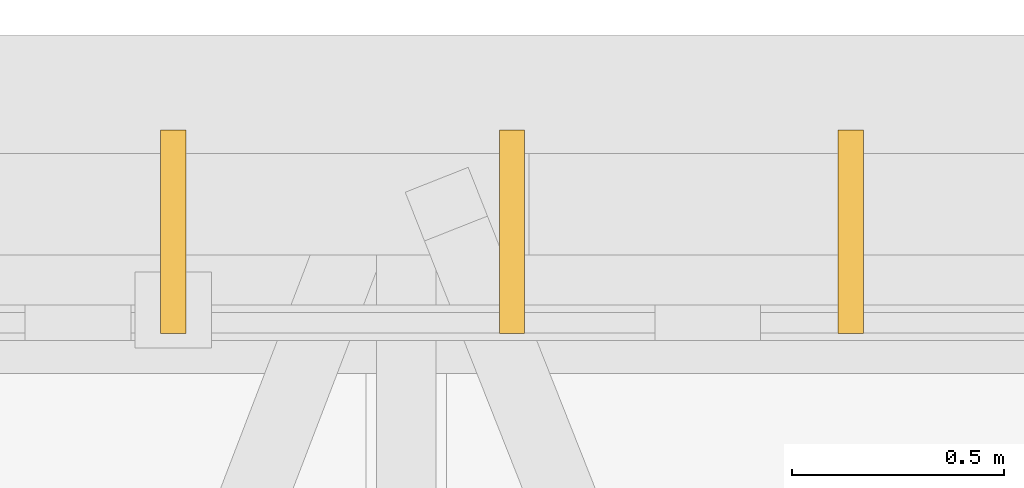
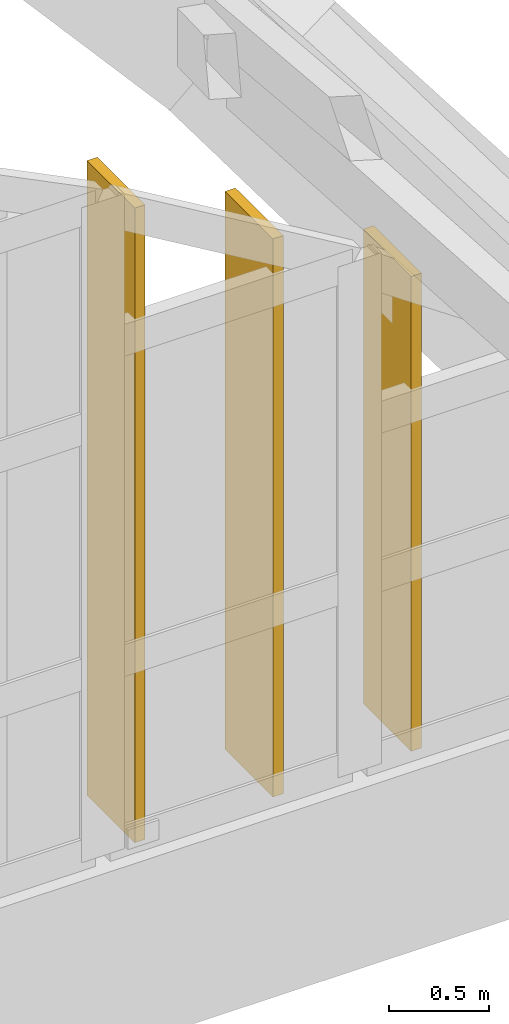
# One storey, part 91 of 93: 3 shading devices.
"""IFC4 building model written with IfcOpenShell, lengths in metres."""

import ifcopenshell
import ifcopenshell.guid

model = None  # the IFC model being written
_history = None  # IfcOwnerHistory: only IFC2X3 demands one
_inside = {}  # id of a spatial element -> (the spatial element, [elements in it])
_under = {}  # id of a project, library or spatial element -> (it, [spatial elements below it])
_declared = {}  # id of a project -> (the project, [libraries it declares])
_typed = {}  # id of a type object -> (the type object, [elements of that type])
_made_of = {}  # id of a material, layer set ... -> (it, [elements and type objects made of it])


def new_model(schema):
    """Start an empty IFC model of exactly this schema.

    Asked for "IFC4X3", IfcOpenShell would pick the latest addendum, in which some entities
    have other attributes; the version numbers below select the first issue.
    IFC2X3 requires an IfcOwnerHistory on every rooted entity: one is made here for all.
    """
    global model, _history
    if schema == "IFC4X3":
        model = ifcopenshell.file(schema_version=(4, 3, 0, 0))
    else:
        model = ifcopenshell.file(schema=schema)
    _inside.clear()
    _under.clear()
    _declared.clear()
    _typed.clear()
    _made_of.clear()
    _history = None
    if model.schema == "IFC2X3":
        org = make("IfcOrganization", Name="unknown")
        user = make(
            "IfcPersonAndOrganization",
            ThePerson=make("IfcPerson", FamilyName="unknown"),
            TheOrganization=org,
        )
        app = make(
            "IfcApplication",
            ApplicationDeveloper=org,
            Version="unknown",
            ApplicationFullName="unknown",
            ApplicationIdentifier="unknown",
        )
        _history = make(
            "IfcOwnerHistory",
            OwningUser=user,
            OwningApplication=app,
            ChangeAction="ADDED",
            CreationDate=0,
        )
    return model


def make(cls, **values):
    """One entity of the class cls with the attributes given. An attribute that is None is left unset."""
    return model.create_entity(
        cls, **{name: value for name, value in values.items() if value is not None}
    )


def rooted(cls, **values):
    """An entity with a GlobalId (a new one), such as an element, a storey or a relation."""
    return make(cls, GlobalId=ifcopenshell.guid.new(), OwnerHistory=_history, **values)


def si_unit(unit_type, name, prefix=None):
    """IfcSIUnit, for example si_unit("LENGTHUNIT", "METRE", prefix="MILLI")."""
    return make("IfcSIUnit", UnitType=unit_type, Prefix=prefix, Name=name)


def assignment(units):
    """IfcUnitAssignment: the units of a project."""
    return None if units is None else make("IfcUnitAssignment", Units=units)


def point(xyz):
    """IfcCartesianPoint."""
    return None if xyz is None else make("IfcCartesianPoint", Coordinates=xyz)


def direction(xyz):
    """IfcDirection."""
    return None if xyz is None else make("IfcDirection", DirectionRatios=xyz)


def frame(location, z_axis=None, x_axis=None):
    """IfcAxis2Placement3D, a coordinate frame: its origin and axes. An axis left out is left unset."""
    return make(
        "IfcAxis2Placement3D",
        Location=point(location),
        Axis=direction(z_axis),
        RefDirection=direction(x_axis),
    )


def frame_2d(location, x_axis=None):
    """IfcAxis2Placement2D, a coordinate frame in the plane: its origin and x axis."""
    return make(
        "IfcAxis2Placement2D", Location=point(location), RefDirection=direction(x_axis)
    )


def origin():
    """The frame at (0, 0, 0) with its axes left unset."""
    return frame((0.0, 0.0, 0.0))


def origin_2d():
    """The frame at (0, 0) in the plane with its x axis left unset."""
    return frame_2d((0.0, 0.0))


def place(relative_to, where):
    """IfcLocalPlacement: puts the frame where relative to a parent placement (None: the world)."""
    return make(
        "IfcLocalPlacement", PlacementRelTo=relative_to, RelativePlacement=where
    )


def context(
    kind, dimensions, precision=None, world=None, true_north=None, identifier=None
):
    """IfcGeometricRepresentationContext, for example the 3D "Model" context."""
    return make(
        "IfcGeometricRepresentationContext",
        ContextIdentifier=identifier,
        ContextType=kind,
        CoordinateSpaceDimension=dimensions,
        Precision=precision,
        WorldCoordinateSystem=world,
        TrueNorth=true_north,
    )


def subcontext(parent, identifier, kind, view, scale=None):
    """IfcGeometricRepresentationSubContext, for example "Body" below "Model"."""
    return make(
        "IfcGeometricRepresentationSubContext",
        ContextIdentifier=identifier,
        ContextType=kind,
        ParentContext=parent,
        TargetScale=scale,
        TargetView=view,
    )


def project(units=None, contexts=None):
    """IfcProject with its units and contexts."""
    return rooted(
        "IfcProject",
        Name="project",
        RepresentationContexts=contexts,
        UnitsInContext=assignment(units),
    )


def spatial(cls, under=None, at=None, **own):
    """A site, building, storey or space (cls), placed at a placement, below another one or the project."""
    s = rooted(cls, ObjectPlacement=at, **own)
    if under is not None:
        _under.setdefault(under.id(), (under, []))[1].append(s)
    return s


def profile(cls, at=None, kind="AREA", **sizes):
    """A parametric profile (cls). Its sizes go by their IFC names, for example OverallWidth=200.0."""
    return make(cls, ProfileType=kind, Position=at, **sizes)


def rectangle(**sizes):
    """IfcRectangleProfileDef."""
    return profile("IfcRectangleProfileDef", **sizes)


def extrude(swept, where, along, depth):
    """IfcExtrudedAreaSolid: the profile swept, set in the frame where, extruded along a direction by depth."""
    return make(
        "IfcExtrudedAreaSolid",
        SweptArea=swept,
        Position=where,
        ExtrudedDirection=direction(along),
        Depth=depth,
    )


def shape(context_of_items, identifier, shape_type, items):
    """IfcShapeRepresentation: the items that make up one representation, for example the "Body"."""
    return make(
        "IfcShapeRepresentation",
        ContextOfItems=context_of_items,
        RepresentationIdentifier=identifier,
        RepresentationType=shape_type,
        Items=items,
    )


def material(Name=None, Category=None):
    """IfcMaterial."""
    return make("IfcMaterial", Name=Name, Category=Category)


def material_profile(
    of_material, cross_section, Name=None, Category=None, Priority=None
):
    """IfcMaterialProfile: a cross section and its material."""
    return make(
        "IfcMaterialProfile",
        Name=Name,
        Material=of_material,
        Profile=cross_section,
        Priority=Priority,
        Category=Category,
    )


def profile_set(profiles, Name=None, composite=None):
    """IfcMaterialProfileSet."""
    return make(
        "IfcMaterialProfileSet",
        Name=Name,
        MaterialProfiles=profiles,
        CompositeProfile=composite,
    )


def made_of(thing, what):
    """Note that an element or type object is made of a material, layer set ...; save() writes the relation."""
    if what is not None:
        _made_of.setdefault(what.id(), (what, []))[1].append(thing)
    return thing


def type_object(cls, material=None, **own):
    """A type object (cls), such as IfcWallType, which elements share."""
    return made_of(rooted(cls, **own), material)


def element(
    cls,
    number,
    at=None,
    inside=None,
    cuts=None,
    type_object=None,
    material=None,
    context=None,
    identifier="Body",
    shape_type=None,
    held_by="IfcProductDefinitionShape",
    body=None,
    shapes=None,
    **own,
):
    """One element of the class cls, such as IfcWall. Its Tag is "e" and its number.

    at: its placement. inside: the storey or other place that contains it. cuts: it is an
    opening in that element (IfcRelVoidsElement). A single representation is given by context,
    identifier, shape_type and body (its items); several are given by shapes. held_by: the class
    of the entity that holds the representations. save() writes the other relations.
    """
    e = rooted(cls, Tag="e%d" % number, ObjectPlacement=at, **own)
    if body is not None:
        shapes = [shape(context, identifier, shape_type, body)]
    if shapes is not None:
        e.Representation = make(held_by, Representations=shapes)
    if inside is not None:
        _inside.setdefault(inside.id(), (inside, []))[1].append(e)
    if cuts is not None:
        rooted(
            "IfcRelVoidsElement", RelatingBuildingElement=cuts, RelatedOpeningElement=e
        )
    if type_object is not None:
        _typed.setdefault(type_object.id(), (type_object, []))[1].append(e)
    return made_of(e, material)


def aggregate(whole, parts):
    """IfcRelAggregates: a whole, such as a stair, and the parts it consists of."""
    return rooted("IfcRelAggregates", RelatingObject=whole, RelatedObjects=parts)


def save(model, path):
    """Write the relations noted so far, then the file.

    IfcRelAggregates (storeys below a building ...), IfcRelContainedInSpatialStructure (elements
    in a storey), IfcRelDefinesByType, IfcRelAssociatesMaterial and IfcRelDeclares: one each for
    every whole, place, type object, material and project.
    """
    for whole, parts in _under.values():
        aggregate(whole, parts)
    for where, things in _inside.values():
        rooted(
            "IfcRelContainedInSpatialStructure",
            RelatedElements=things,
            RelatingStructure=where,
        )
    for kind, things in _typed.values():
        rooted("IfcRelDefinesByType", RelatedObjects=things, RelatingType=kind)
    for what, things in _made_of.values():
        rooted("IfcRelAssociatesMaterial", RelatedObjects=things, RelatingMaterial=what)
    for by, libraries in _declared.values():
        rooted("IfcRelDeclares", RelatingContext=by, RelatedDefinitions=libraries)
    model.write(path)


model = new_model("IFC4")

# Units and contexts
model_context = context("Model", 3, precision=1e-05, world=origin(), true_north=direction((0.0, 1.0)))
body_context = subcontext(model_context, "Body", "Model", "MODEL_VIEW")
ifc_project = project(units=[si_unit("LENGTHUNIT", "METRE"), si_unit("AREAUNIT", "SQUARE_METRE"), si_unit("VOLUMEUNIT", "CUBIC_METRE"), si_unit("PLANEANGLEUNIT", "RADIAN"), si_unit("MASSUNIT", "GRAM", prefix="KILO")], contexts=[model_context])

# Site, building, storey
site_placement = place(None, origin())
site = spatial("IfcSite", under=ifc_project, at=site_placement, CompositionType="ELEMENT")
building_placement = place(site_placement, origin())
building = spatial("IfcBuilding", under=site, at=building_placement, Name="Vourika Railside Aquatics Centre", CompositionType="ELEMENT")
storey_placement = place(building_placement, frame((0.0, 0.0, 21.89990234375)))
storey = spatial("IfcBuildingStorey", under=building, at=storey_placement, Name="Roof", CompositionType="ELEMENT", Elevation=21.89990234375)

# Shading devices
ifc_material = material(Name="Bronze-anodized extruded aluminium", Category="aluminium")
ifc_material_profile = material_profile(ifc_material, rectangle(XDim=0.06005859375, YDim=0.47998046875, at=origin_2d()), Name="ALU-FIN 60x480")
ifc_profile_set = profile_set([ifc_material_profile], Name="Bronze-anodized extruded aluminium")
shading_device_type = type_object("IfcShadingDeviceType", Name="SHD-FIN-F48A", PredefinedType="USERDEFINED", material=ifc_profile_set)
shading_device_1_placement = place(storey_placement, frame((121.699951171875, 65.93505859375, -11.099853515625), z_axis=(0.0, 0.0, 1.0), x_axis=(1.0, 0.0, 0.0)))
element("IfcShadingDevice", 1, at=shading_device_1_placement, inside=storey, type_object=shading_device_type, Name="Vertical Solar Fin VSF-0141", ObjectType="FIN", PredefinedType="USERDEFINED", context=body_context, shape_type="SweptSolid", body=[
    extrude(rectangle(XDim=0.06005859375, YDim=0.47998046875, at=origin_2d()), origin(), (0.0, 0.0, 1.0), 3.885009765625),
])
shading_device_2_placement = place(storey_placement, frame((122.5, 65.93505859375, -11.099853515625), z_axis=(0.0, 0.0, 1.0), x_axis=(1.0, 0.0, 0.0)))
element("IfcShadingDevice", 2, at=shading_device_2_placement, inside=storey, type_object=shading_device_type, Name="Vertical Solar Fin VSF-0142", ObjectType="FIN", PredefinedType="USERDEFINED", context=body_context, shape_type="SweptSolid", body=[
    extrude(rectangle(XDim=0.06005859375, YDim=0.47998046875, at=origin_2d()), origin(), (0.0, 0.0, 1.0), 3.416015625),
])
shading_device_3_placement = place(storey_placement, frame((123.300048828125, 65.93505859375, -11.099853515625), z_axis=(0.0, 0.0, 1.0), x_axis=(1.0, 0.0, 0.0)))
element("IfcShadingDevice", 3, at=shading_device_3_placement, inside=storey, type_object=shading_device_type, Name="Vertical Solar Fin VSF-0143", ObjectType="FIN", PredefinedType="USERDEFINED", context=body_context, shape_type="SweptSolid", body=[
    extrude(rectangle(XDim=0.06005859375, YDim=0.47998046875, at=origin_2d()), origin(), (0.0, 0.0, 1.0), 2.906005859375),
])

save(model, "model.ifc")
